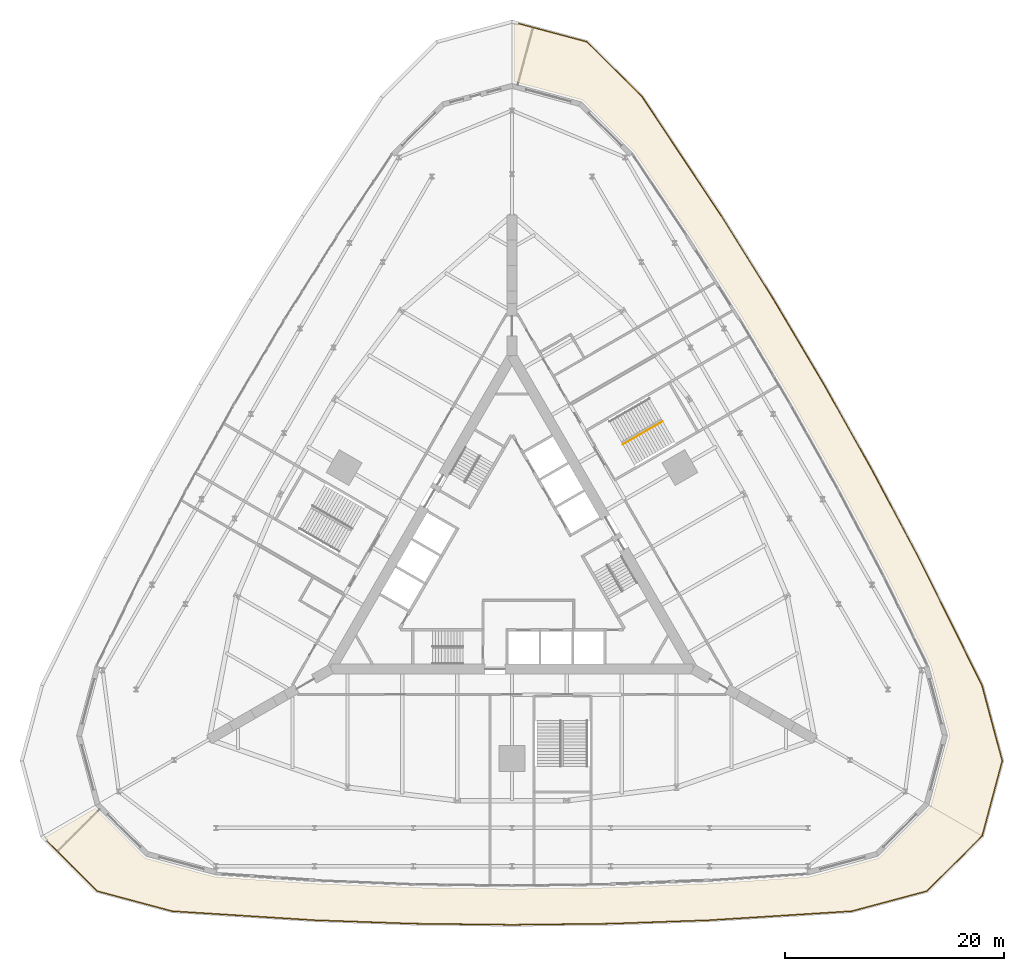
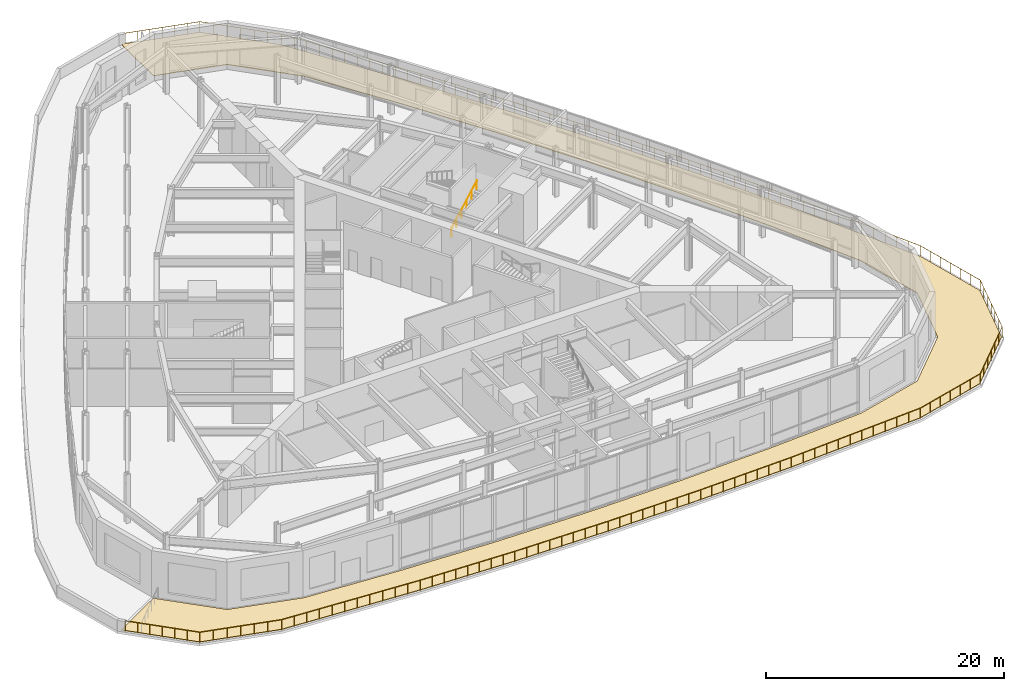
# One storey, part 19 of 20: 2 railings, 1 covering.
"""IFC4 building model written with IfcOpenShell, lengths in metres."""

from ifc_helpers import new_model, si_unit, direction, frame, origin, origin_2d, place, context, subcontext, project, spatial, polyline, circle, outline, extrude, material, layer, layer_set, type_object, element, save


model = new_model("IFC4")

# Units and contexts
model_context = context("Model", 3, precision=1e-05, world=origin(), true_north=direction((0.0, 1.0)))
body_context = subcontext(model_context, "Body", "Model", "MODEL_VIEW")
ifc_project = project(units=[si_unit("LENGTHUNIT", "METRE"), si_unit("AREAUNIT", "SQUARE_METRE"), si_unit("VOLUMEUNIT", "CUBIC_METRE"), si_unit("PLANEANGLEUNIT", "RADIAN"), si_unit("MASSUNIT", "GRAM", prefix="KILO")], contexts=[model_context])

# Site, building, storey
site_placement = place(None, origin())
site = spatial("IfcSite", under=ifc_project, at=site_placement, CompositionType="ELEMENT")
building_placement = place(site_placement, origin())
building = spatial("IfcBuilding", under=site, at=building_placement, Name="Trikona Tower", CompositionType="ELEMENT")
storey_placement = place(building_placement, frame((0.0, 0.0, 6.0)))
storey = spatial("IfcBuildingStorey", under=building, at=storey_placement, Name="L01", CompositionType="ELEMENT", Elevation=6.0)

# Railings
ifc_material_1 = material(Name="Stainless steel handrail", Category="steel")
railing_type_1 = type_object("IfcRailingType", Name="Stair handrail", PredefinedType="HANDRAIL", material=ifc_material_1)
railing_1_placement = place(storey_placement, frame((10.100341796875, 10.958251953125, 0.15625)))
element("IfcRailing", 1, at=railing_1_placement, inside=storey, type_object=railing_type_1, Name="Stair handrail PS2 L01 1", PredefinedType="HANDRAIL", context=body_context, shape_type="SweptSolid", body=[
    extrude(circle(Radius=0.02392578125, at=origin_2d()), frame((0.0, 0.0, 0.8759765625), z_axis=(0.756229227582, 0.436641416006, 0.487300348019), x_axis=(-0.500027713859, 0.866009402589, 0.0)), (0.0, 0.0, 1.0), 4.8095703125),
    extrude(circle(Radius=0.02099609375, at=origin_2d()), origin(), (0.0, 0.0, 1.0), 0.851806640625),
    extrude(circle(Radius=0.02099609375, at=origin_2d()), frame((0.7275390625, 0.419921875, 0.46875)), (0.0, 0.0, 1.0), 0.851806640625),
    extrude(circle(Radius=0.02099609375, at=origin_2d()), frame((1.454833984375, 0.840087890625, 0.9375)), (0.0, 0.0, 1.0), 0.851806640625),
    extrude(circle(Radius=0.02099609375, at=origin_2d()), frame((2.182373046875, 1.260009765625, 1.40625)), (0.0, 0.0, 1.0), 0.851806640625),
    extrude(circle(Radius=0.02099609375, at=origin_2d()), frame((2.90966796875, 1.68017578125, 1.875)), (0.0, 0.0, 1.0), 0.851806640625),
    extrude(circle(Radius=0.02099609375, at=origin_2d()), frame((3.63720703125, 2.10009765625, 2.34375)), (0.0, 0.0, 1.0), 0.851806640625),
])
ifc_material_2 = material(Name="Stainless steel guard with glass infill", Category="steel")
railing_type_2 = type_object("IfcRailingType", Name="Terrace guard 1100", PredefinedType="GUARDRAIL", material=ifc_material_2)
railing_2_placement = place(storey_placement, frame((0.57958984375, 49.341552734375, 0.0)))
element("IfcRailing", 2, at=railing_2_placement, inside=storey, type_object=railing_type_2, Name="Terrace guard L01-1", PredefinedType="GUARDRAIL", context=body_context, shape_type="SweptSolid", body=[
    extrude(circle(Radius=0.02392578125, at=origin_2d()), frame((0.0, 0.0, 1.076171875), z_axis=(0.965921529381, -0.258835080851, 0.0), x_axis=(0.258835080851, 0.965921529381, 0.0)), (0.0, 0.0, 1.0), 6.4921875),
    extrude(circle(Radius=0.02392578125, at=origin_2d()), frame((6.27099609375, -1.680419921875, 1.076171875), z_axis=(0.707106781187, -0.707106781187, 0.0), x_axis=(0.707106781187, 0.707106781187, 0.0)), (0.0, 0.0, 1.0), 7.117431640625),
    extrude(circle(Radius=0.02392578125, at=origin_2d()), frame((11.3037109375, -6.713134765625, 1.076171875), z_axis=(0.553656005616, -0.832745475788, 0.0), x_axis=(0.832745475788, 0.553656005616, 0.0)), (0.0, 0.0, 1.0), 13.0087890625),
    extrude(circle(Radius=0.02392578125, at=origin_2d()), frame((18.506103515625, -17.546142578125, 1.076171875), z_axis=(0.529847781935, -0.848092759065, 0.0), x_axis=(0.848092759065, 0.529847781935, 0.0)), (0.0, 0.0, 1.0), 9.001708984375),
    extrude(circle(Radius=0.02392578125, at=origin_2d()), frame((23.275634765625, -25.180419921875, 1.076171875), z_axis=(0.510031464151, -0.860155744953, 0.0), x_axis=(0.860155744953, 0.510031464151, 0.0)), (0.0, 0.0, 1.0), 8.997314453125),
    extrude(circle(Radius=0.02392578125, at=origin_2d()), frame((27.864501953125, -32.91943359375, 1.076171875), z_axis=(0.489901755097, -0.871777649606, 0.0), x_axis=(0.871777649606, 0.489901755097, 0.0)), (0.0, 0.0, 1.0), 8.9970703125),
    extrude(circle(Radius=0.02392578125, at=origin_2d()), frame((32.272216796875, -40.762939453125, 1.076171875), z_axis=(0.469540552861, -0.882910906728, 0.0), x_axis=(0.882910906728, 0.469540552861, 0.0)), (0.0, 0.0, 1.0), 9.00146484375),
    extrude(circle(Radius=0.02392578125, at=origin_2d()), frame((36.498779296875, -48.71044921875, 1.076171875), z_axis=(0.444351186514, -0.895852679319, 0.0), x_axis=(0.895852679319, 0.444351186514, 0.0)), (0.0, 0.0, 1.0), 13.0087890625),
    extrude(circle(Radius=0.02392578125, at=origin_2d()), frame((42.279296875, -60.364501953125, 1.076171875), z_axis=(0.258836670666, -0.965921103361, 0.0), x_axis=(0.965921103361, 0.258836670666, 0.0)), (0.0, 0.0, 1.0), 7.11767578125),
    extrude(circle(Radius=0.02392578125, at=origin_2d()), frame((44.12158203125, -67.239501953125, 1.076171875), z_axis=(-0.258830146848, -0.965922851517, 0.0), x_axis=(0.965922851517, -0.258830146848, 0.0)), (0.0, 0.0, 1.0), 7.09228515625),
    extrude(circle(Radius=0.02392578125, at=origin_2d()), frame((42.285888671875, -74.090087890625, 1.076171875), z_axis=(-0.707106781187, -0.707106781187, 0.0), x_axis=(0.707106781187, -0.707106781187, 0.0)), (0.0, 0.0, 1.0), 7.092041015625),
    extrude(circle(Radius=0.02392578125, at=origin_2d()), frame((37.27099609375, -79.10498046875, 1.076171875), z_axis=(-0.965929678743, -0.258804667121, 0.0), x_axis=(0.258804667121, -0.965929678743, 0.0)), (0.0, 0.0, 1.0), 7.117431640625),
    extrude(circle(Radius=0.02392578125, at=origin_2d()), frame((30.39599609375, -80.947021484375, 1.076171875), z_axis=(-0.998006301653, -0.063114355419, 0.0), x_axis=(0.063114355419, -0.998006301653, 0.0)), (0.0, 0.0, 1.0), 13.0087890625),
    extrude(circle(Radius=0.02392578125, at=origin_2d()), frame((17.4130859375, -81.76806640625, 1.076171875), z_axis=(-0.999394379162, -0.034797627781, 0.0), x_axis=(0.034797627781, -0.999394379162, 0.0)), (0.0, 0.0, 1.0), 9.00146484375),
    extrude(circle(Radius=0.02392578125, at=origin_2d()), frame((8.4169921875, -82.081298828125, 1.076171875), z_axis=(-0.99993255673, -0.011613870672, 0.0), x_axis=(0.011613870672, -0.99993255673, 0.0)), (0.0, 0.0, 1.0), 8.9970703125),
    extrude(circle(Radius=0.02392578125, at=origin_2d()), frame((-0.57958984375, -82.185791015625, 1.076171875), z_axis=(-0.99993255673, 0.011613870672, 0.0), x_axis=(-0.011613870672, -0.99993255673, 0.0)), (0.0, 0.0, 1.0), 8.9970703125),
    extrude(circle(Radius=0.02392578125, at=origin_2d()), frame((-9.576171875, -82.081298828125, 1.076171875), z_axis=(-0.999394379162, 0.034797627781, 0.0), x_axis=(-0.034797627781, -0.999394379162, 0.0)), (0.0, 0.0, 1.0), 9.00146484375),
    extrude(circle(Radius=0.02392578125, at=origin_2d()), frame((-18.572265625, -81.76806640625, 1.076171875), z_axis=(-0.998006301653, 0.063114355419, 0.0), x_axis=(-0.063114355419, -0.998006301653, 0.0)), (0.0, 0.0, 1.0), 13.0087890625),
    extrude(circle(Radius=0.02392578125, at=origin_2d()), frame((-31.55517578125, -80.947021484375, 1.076171875), z_axis=(-0.965929678743, 0.258804667121, 0.0), x_axis=(-0.258804667121, -0.965929678743, 0.0)), (0.0, 0.0, 1.0), 7.117431640625),
    extrude(circle(Radius=0.02392578125, at=origin_2d()), frame((-38.43017578125, -79.10498046875, 1.076171875), z_axis=(-0.707106781187, 0.707106781187, 0.0), x_axis=(-0.707106781187, -0.707106781187, 0.0)), (0.0, 0.0, 1.0), 6.492431640625),
    extrude(circle(Radius=0.02099609375, at=origin_2d()), origin(), (0.0, 0.0, 1.0), 1.052001953125),
    extrude(circle(Radius=0.02099609375, at=origin_2d()), frame((1.045166015625, -0.280029296875, 0.0)), (0.0, 0.0, 1.0), 1.052001953125),
    extrude(circle(Radius=0.02099609375, at=origin_2d()), frame((2.09033203125, -0.56005859375, 0.0)), (0.0, 0.0, 1.0), 1.052001953125),
    extrude(circle(Radius=0.02099609375, at=origin_2d()), frame((3.135498046875, -0.84033203125, 0.0)), (0.0, 0.0, 1.0), 1.052001953125),
    extrude(circle(Radius=0.02099609375, at=origin_2d()), frame((4.1806640625, -1.120361328125, 0.0)), (0.0, 0.0, 1.0), 1.052001953125),
    extrude(circle(Radius=0.02099609375, at=origin_2d()), frame((5.225830078125, -1.400390625, 0.0)), (0.0, 0.0, 1.0), 1.052001953125),
    extrude(circle(Radius=0.02099609375, at=origin_2d()), frame((6.27099609375, -1.680419921875, 0.0)), (0.0, 0.0, 1.0), 1.052001953125),
    extrude(circle(Radius=0.02099609375, at=origin_2d()), frame((7.10986328125, -2.519287109375, 0.0)), (0.0, 0.0, 1.0), 1.052001953125),
    extrude(circle(Radius=0.02099609375, at=origin_2d()), frame((7.948486328125, -3.35791015625, 0.0)), (0.0, 0.0, 1.0), 1.052001953125),
    extrude(circle(Radius=0.02099609375, at=origin_2d()), frame((8.787353515625, -4.19677734375, 0.0)), (0.0, 0.0, 1.0), 1.052001953125),
    extrude(circle(Radius=0.02099609375, at=origin_2d()), frame((9.626220703125, -5.03564453125, 0.0)), (0.0, 0.0, 1.0), 1.052001953125),
    extrude(circle(Radius=0.02099609375, at=origin_2d()), frame((10.46484375, -5.874267578125, 0.0)), (0.0, 0.0, 1.0), 1.052001953125),
    extrude(circle(Radius=0.02099609375, at=origin_2d()), frame((11.3037109375, -6.713134765625, 0.0)), (0.0, 0.0, 1.0), 1.052001953125),
    extrude(circle(Radius=0.02099609375, at=origin_2d()), frame((11.95849609375, -7.697998046875, 0.0)), (0.0, 0.0, 1.0), 1.052001953125),
    extrude(circle(Radius=0.02099609375, at=origin_2d()), frame((12.61328125, -8.682861328125, 0.0)), (0.0, 0.0, 1.0), 1.052001953125),
    extrude(circle(Radius=0.02099609375, at=origin_2d()), frame((13.26806640625, -9.66748046875, 0.0)), (0.0, 0.0, 1.0), 1.052001953125),
    extrude(circle(Radius=0.02099609375, at=origin_2d()), frame((13.9228515625, -10.65234375, 0.0)), (0.0, 0.0, 1.0), 1.052001953125),
    extrude(circle(Radius=0.02099609375, at=origin_2d()), frame((14.57763671875, -11.63720703125, 0.0)), (0.0, 0.0, 1.0), 1.052001953125),
    extrude(circle(Radius=0.02099609375, at=origin_2d()), frame((15.232177734375, -12.6220703125, 0.0)), (0.0, 0.0, 1.0), 1.052001953125),
    extrude(circle(Radius=0.02099609375, at=origin_2d()), frame((15.886962890625, -13.60693359375, 0.0)), (0.0, 0.0, 1.0), 1.052001953125),
    extrude(circle(Radius=0.02099609375, at=origin_2d()), frame((16.541748046875, -14.591796875, 0.0)), (0.0, 0.0, 1.0), 1.052001953125),
    extrude(circle(Radius=0.02099609375, at=origin_2d()), frame((17.196533203125, -15.576416015625, 0.0)), (0.0, 0.0, 1.0), 1.052001953125),
    extrude(circle(Radius=0.02099609375, at=origin_2d()), frame((17.851318359375, -16.561279296875, 0.0)), (0.0, 0.0, 1.0), 1.052001953125),
    extrude(circle(Radius=0.02099609375, at=origin_2d()), frame((18.506103515625, -17.546142578125, 0.0)), (0.0, 0.0, 1.0), 1.052001953125),
    extrude(circle(Radius=0.02099609375, at=origin_2d()), frame((19.102294921875, -18.50048828125, 0.0)), (0.0, 0.0, 1.0), 1.052001953125),
    extrude(circle(Radius=0.02099609375, at=origin_2d()), frame((19.698486328125, -19.45458984375, 0.0)), (0.0, 0.0, 1.0), 1.052001953125),
    extrude(circle(Radius=0.02099609375, at=origin_2d()), frame((20.294677734375, -20.408935546875, 0.0)), (0.0, 0.0, 1.0), 1.052001953125),
    extrude(circle(Radius=0.02099609375, at=origin_2d()), frame((20.890869140625, -21.36328125, 0.0)), (0.0, 0.0, 1.0), 1.052001953125),
    extrude(circle(Radius=0.02099609375, at=origin_2d()), frame((21.487060546875, -22.317626953125, 0.0)), (0.0, 0.0, 1.0), 1.052001953125),
    extrude(circle(Radius=0.02099609375, at=origin_2d()), frame((22.083251953125, -23.27197265625, 0.0)), (0.0, 0.0, 1.0), 1.052001953125),
    extrude(circle(Radius=0.02099609375, at=origin_2d()), frame((22.679443359375, -24.22607421875, 0.0)), (0.0, 0.0, 1.0), 1.052001953125),
    extrude(circle(Radius=0.02099609375, at=origin_2d()), frame((23.275634765625, -25.180419921875, 0.0)), (0.0, 0.0, 1.0), 1.052001953125),
    extrude(circle(Radius=0.02099609375, at=origin_2d()), frame((23.84912109375, -26.147705078125, 0.0)), (0.0, 0.0, 1.0), 1.052001953125),
    extrude(circle(Radius=0.02099609375, at=origin_2d()), frame((24.4228515625, -27.115234375, 0.0)), (0.0, 0.0, 1.0), 1.052001953125),
    extrude(circle(Radius=0.02099609375, at=origin_2d()), frame((24.99658203125, -28.08251953125, 0.0)), (0.0, 0.0, 1.0), 1.052001953125),
    extrude(circle(Radius=0.02099609375, at=origin_2d()), frame((25.570068359375, -29.0498046875, 0.0)), (0.0, 0.0, 1.0), 1.052001953125),
    extrude(circle(Radius=0.02099609375, at=origin_2d()), frame((26.1435546875, -30.017333984375, 0.0)), (0.0, 0.0, 1.0), 1.052001953125),
    extrude(circle(Radius=0.02099609375, at=origin_2d()), frame((26.71728515625, -30.984619140625, 0.0)), (0.0, 0.0, 1.0), 1.052001953125),
    extrude(circle(Radius=0.02099609375, at=origin_2d()), frame((27.291015625, -31.9521484375, 0.0)), (0.0, 0.0, 1.0), 1.052001953125),
    extrude(circle(Radius=0.02099609375, at=origin_2d()), frame((27.864501953125, -32.91943359375, 0.0)), (0.0, 0.0, 1.0), 1.052001953125),
    extrude(circle(Radius=0.02099609375, at=origin_2d()), frame((28.41552734375, -33.89990234375, 0.0)), (0.0, 0.0, 1.0), 1.052001953125),
    extrude(circle(Radius=0.02099609375, at=origin_2d()), frame((28.96630859375, -34.88037109375, 0.0)), (0.0, 0.0, 1.0), 1.052001953125),
    extrude(circle(Radius=0.02099609375, at=origin_2d()), frame((29.517333984375, -35.86083984375, 0.0)), (0.0, 0.0, 1.0), 1.052001953125),
    extrude(circle(Radius=0.02099609375, at=origin_2d()), frame((30.068359375, -36.84130859375, 0.0)), (0.0, 0.0, 1.0), 1.052001953125),
    extrude(circle(Radius=0.02099609375, at=origin_2d()), frame((30.619384765625, -37.821533203125, 0.0)), (0.0, 0.0, 1.0), 1.052001953125),
    extrude(circle(Radius=0.02099609375, at=origin_2d()), frame((31.17041015625, -38.802001953125, 0.0)), (0.0, 0.0, 1.0), 1.052001953125),
    extrude(circle(Radius=0.02099609375, at=origin_2d()), frame((31.72119140625, -39.782470703125, 0.0)), (0.0, 0.0, 1.0), 1.052001953125),
    extrude(circle(Radius=0.02099609375, at=origin_2d()), frame((32.272216796875, -40.762939453125, 0.0)), (0.0, 0.0, 1.0), 1.052001953125),
    extrude(circle(Radius=0.02099609375, at=origin_2d()), frame((32.800537109375, -41.75634765625, 0.0)), (0.0, 0.0, 1.0), 1.052001953125),
    extrude(circle(Radius=0.02099609375, at=origin_2d()), frame((33.328857421875, -42.749755859375, 0.0)), (0.0, 0.0, 1.0), 1.052001953125),
    extrude(circle(Radius=0.02099609375, at=origin_2d()), frame((33.857177734375, -43.7431640625, 0.0)), (0.0, 0.0, 1.0), 1.052001953125),
    extrude(circle(Radius=0.02099609375, at=origin_2d()), frame((34.385498046875, -44.73681640625, 0.0)), (0.0, 0.0, 1.0), 1.052001953125),
    extrude(circle(Radius=0.02099609375, at=origin_2d()), frame((34.913818359375, -45.730224609375, 0.0)), (0.0, 0.0, 1.0), 1.052001953125),
    extrude(circle(Radius=0.02099609375, at=origin_2d()), frame((35.442138671875, -46.7236328125, 0.0)), (0.0, 0.0, 1.0), 1.052001953125),
    extrude(circle(Radius=0.02099609375, at=origin_2d()), frame((35.970458984375, -47.717041015625, 0.0)), (0.0, 0.0, 1.0), 1.052001953125),
    extrude(circle(Radius=0.02099609375, at=origin_2d()), frame((36.498779296875, -48.71044921875, 0.0)), (0.0, 0.0, 1.0), 1.052001953125),
    extrude(circle(Radius=0.02099609375, at=origin_2d()), frame((37.024169921875, -49.77001953125, 0.0)), (0.0, 0.0, 1.0), 1.052001953125),
    extrude(circle(Radius=0.02099609375, at=origin_2d()), frame((37.5498046875, -50.829345703125, 0.0)), (0.0, 0.0, 1.0), 1.052001953125),
    extrude(circle(Radius=0.02099609375, at=origin_2d()), frame((38.0751953125, -51.888916015625, 0.0)), (0.0, 0.0, 1.0), 1.052001953125),
    extrude(circle(Radius=0.02099609375, at=origin_2d()), frame((38.600830078125, -52.9482421875, 0.0)), (0.0, 0.0, 1.0), 1.052001953125),
    extrude(circle(Radius=0.02099609375, at=origin_2d()), frame((39.126220703125, -54.0078125, 0.0)), (0.0, 0.0, 1.0), 1.052001953125),
    extrude(circle(Radius=0.02099609375, at=origin_2d()), frame((39.65185546875, -55.067138671875, 0.0)), (0.0, 0.0, 1.0), 1.052001953125),
    extrude(circle(Radius=0.02099609375, at=origin_2d()), frame((40.17724609375, -56.126708984375, 0.0)), (0.0, 0.0, 1.0), 1.052001953125),
    extrude(circle(Radius=0.02099609375, at=origin_2d()), frame((40.702880859375, -57.18603515625, 0.0)), (0.0, 0.0, 1.0), 1.052001953125),
    extrude(circle(Radius=0.02099609375, at=origin_2d()), frame((41.228271484375, -58.24560546875, 0.0)), (0.0, 0.0, 1.0), 1.052001953125),
    extrude(circle(Radius=0.02099609375, at=origin_2d()), frame((41.75390625, -59.304931640625, 0.0)), (0.0, 0.0, 1.0), 1.052001953125),
    extrude(circle(Radius=0.02099609375, at=origin_2d()), frame((42.279296875, -60.364501953125, 0.0)), (0.0, 0.0, 1.0), 1.052001953125),
    extrude(circle(Radius=0.02099609375, at=origin_2d()), frame((42.58642578125, -61.51025390625, 0.0)), (0.0, 0.0, 1.0), 1.052001953125),
    extrude(circle(Radius=0.02099609375, at=origin_2d()), frame((42.893310546875, -62.65625, 0.0)), (0.0, 0.0, 1.0), 1.052001953125),
    extrude(circle(Radius=0.02099609375, at=origin_2d()), frame((43.200439453125, -63.802001953125, 0.0)), (0.0, 0.0, 1.0), 1.052001953125),
    extrude(circle(Radius=0.02099609375, at=origin_2d()), frame((43.507568359375, -64.94775390625, 0.0)), (0.0, 0.0, 1.0), 1.052001953125),
    extrude(circle(Radius=0.02099609375, at=origin_2d()), frame((43.814453125, -66.09375, 0.0)), (0.0, 0.0, 1.0), 1.052001953125),
    extrude(circle(Radius=0.02099609375, at=origin_2d()), frame((44.12158203125, -67.239501953125, 0.0)), (0.0, 0.0, 1.0), 1.052001953125),
    extrude(circle(Radius=0.02099609375, at=origin_2d()), frame((43.815673828125, -68.38134765625, 0.0)), (0.0, 0.0, 1.0), 1.052001953125),
    extrude(circle(Radius=0.02099609375, at=origin_2d()), frame((43.509765625, -69.52294921875, 0.0)), (0.0, 0.0, 1.0), 1.052001953125),
    extrude(circle(Radius=0.02099609375, at=origin_2d()), frame((43.20361328125, -70.664794921875, 0.0)), (0.0, 0.0, 1.0), 1.052001953125),
    extrude(circle(Radius=0.02099609375, at=origin_2d()), frame((42.897705078125, -71.806640625, 0.0)), (0.0, 0.0, 1.0), 1.052001953125),
    extrude(circle(Radius=0.02099609375, at=origin_2d()), frame((42.591796875, -72.9482421875, 0.0)), (0.0, 0.0, 1.0), 1.052001953125),
    extrude(circle(Radius=0.02099609375, at=origin_2d()), frame((42.285888671875, -74.090087890625, 0.0)), (0.0, 0.0, 1.0), 1.052001953125),
    extrude(circle(Radius=0.02099609375, at=origin_2d()), frame((41.4501953125, -74.92578125, 0.0)), (0.0, 0.0, 1.0), 1.052001953125),
    extrude(circle(Radius=0.02099609375, at=origin_2d()), frame((40.6142578125, -75.76171875, 0.0)), (0.0, 0.0, 1.0), 1.052001953125),
    extrude(circle(Radius=0.02099609375, at=origin_2d()), frame((39.7783203125, -76.59765625, 0.0)), (0.0, 0.0, 1.0), 1.052001953125),
    extrude(circle(Radius=0.02099609375, at=origin_2d()), frame((38.942626953125, -77.433349609375, 0.0)), (0.0, 0.0, 1.0), 1.052001953125),
    extrude(circle(Radius=0.02099609375, at=origin_2d()), frame((38.10693359375, -78.26904296875, 0.0)), (0.0, 0.0, 1.0), 1.052001953125),
    extrude(circle(Radius=0.02099609375, at=origin_2d()), frame((37.27099609375, -79.10498046875, 0.0)), (0.0, 0.0, 1.0), 1.052001953125),
    extrude(circle(Radius=0.02099609375, at=origin_2d()), frame((36.125244140625, -79.412109375, 0.0)), (0.0, 0.0, 1.0), 1.052001953125),
    extrude(circle(Radius=0.02099609375, at=origin_2d()), frame((34.979248046875, -79.718994140625, 0.0)), (0.0, 0.0, 1.0), 1.052001953125),
    extrude(circle(Radius=0.02099609375, at=origin_2d()), frame((33.83349609375, -80.02587890625, 0.0)), (0.0, 0.0, 1.0), 1.052001953125),
    extrude(circle(Radius=0.02099609375, at=origin_2d()), frame((32.687744140625, -80.3330078125, 0.0)), (0.0, 0.0, 1.0), 1.052001953125),
    extrude(circle(Radius=0.02099609375, at=origin_2d()), frame((31.541748046875, -80.64013671875, 0.0)), (0.0, 0.0, 1.0), 1.052001953125),
    extrude(circle(Radius=0.02099609375, at=origin_2d()), frame((30.39599609375, -80.947021484375, 0.0)), (0.0, 0.0, 1.0), 1.052001953125),
    extrude(circle(Radius=0.02099609375, at=origin_2d()), frame((29.2158203125, -81.021728515625, 0.0)), (0.0, 0.0, 1.0), 1.052001953125),
    extrude(circle(Radius=0.02099609375, at=origin_2d()), frame((28.035400390625, -81.09619140625, 0.0)), (0.0, 0.0, 1.0), 1.052001953125),
    extrude(circle(Radius=0.02099609375, at=origin_2d()), frame((26.855224609375, -81.1708984375, 0.0)), (0.0, 0.0, 1.0), 1.052001953125),
    extrude(circle(Radius=0.02099609375, at=origin_2d()), frame((25.675048828125, -81.24560546875, 0.0)), (0.0, 0.0, 1.0), 1.052001953125),
    extrude(circle(Radius=0.02099609375, at=origin_2d()), frame((24.49462890625, -81.3203125, 0.0)), (0.0, 0.0, 1.0), 1.052001953125),
    extrude(circle(Radius=0.02099609375, at=origin_2d()), frame((23.314453125, -81.394775390625, 0.0)), (0.0, 0.0, 1.0), 1.052001953125),
    extrude(circle(Radius=0.02099609375, at=origin_2d()), frame((22.134033203125, -81.469482421875, 0.0)), (0.0, 0.0, 1.0), 1.052001953125),
    extrude(circle(Radius=0.02099609375, at=origin_2d()), frame((20.953857421875, -81.544189453125, 0.0)), (0.0, 0.0, 1.0), 1.052001953125),
    extrude(circle(Radius=0.02099609375, at=origin_2d()), frame((19.773681640625, -81.618896484375, 0.0)), (0.0, 0.0, 1.0), 1.052001953125),
    extrude(circle(Radius=0.02099609375, at=origin_2d()), frame((18.59326171875, -81.693359375, 0.0)), (0.0, 0.0, 1.0), 1.052001953125),
    extrude(circle(Radius=0.02099609375, at=origin_2d()), frame((17.4130859375, -81.76806640625, 0.0)), (0.0, 0.0, 1.0), 1.052001953125),
    extrude(circle(Radius=0.02099609375, at=origin_2d()), frame((16.28857421875, -81.80712890625, 0.0)), (0.0, 0.0, 1.0), 1.052001953125),
    extrude(circle(Radius=0.02099609375, at=origin_2d()), frame((15.1640625, -81.846435546875, 0.0)), (0.0, 0.0, 1.0), 1.052001953125),
    extrude(circle(Radius=0.02099609375, at=origin_2d()), frame((14.03955078125, -81.885498046875, 0.0)), (0.0, 0.0, 1.0), 1.052001953125),
    extrude(circle(Radius=0.02099609375, at=origin_2d()), frame((12.9150390625, -81.9248046875, 0.0)), (0.0, 0.0, 1.0), 1.052001953125),
    extrude(circle(Radius=0.02099609375, at=origin_2d()), frame((11.79052734375, -81.9638671875, 0.0)), (0.0, 0.0, 1.0), 1.052001953125),
    extrude(circle(Radius=0.02099609375, at=origin_2d()), frame((10.666015625, -82.0029296875, 0.0)), (0.0, 0.0, 1.0), 1.052001953125),
    extrude(circle(Radius=0.02099609375, at=origin_2d()), frame((9.54150390625, -82.042236328125, 0.0)), (0.0, 0.0, 1.0), 1.052001953125),
    extrude(circle(Radius=0.02099609375, at=origin_2d()), frame((8.4169921875, -82.081298828125, 0.0)), (0.0, 0.0, 1.0), 1.052001953125),
    extrude(circle(Radius=0.02099609375, at=origin_2d()), frame((7.29248046875, -82.09423828125, 0.0)), (0.0, 0.0, 1.0), 1.052001953125),
    extrude(circle(Radius=0.02099609375, at=origin_2d()), frame((6.16796875, -82.107421875, 0.0)), (0.0, 0.0, 1.0), 1.052001953125),
    extrude(circle(Radius=0.02099609375, at=origin_2d()), frame((5.043212890625, -82.12060546875, 0.0)), (0.0, 0.0, 1.0), 1.052001953125),
    extrude(circle(Radius=0.02099609375, at=origin_2d()), frame((3.918701171875, -82.133544921875, 0.0)), (0.0, 0.0, 1.0), 1.052001953125),
    extrude(circle(Radius=0.02099609375, at=origin_2d()), frame((2.794189453125, -82.146484375, 0.0)), (0.0, 0.0, 1.0), 1.052001953125),
    extrude(circle(Radius=0.02099609375, at=origin_2d()), frame((1.66943359375, -82.15966796875, 0.0)), (0.0, 0.0, 1.0), 1.052001953125),
    extrude(circle(Radius=0.02099609375, at=origin_2d()), frame((0.544921875, -82.1728515625, 0.0)), (0.0, 0.0, 1.0), 1.052001953125),
    extrude(circle(Radius=0.02099609375, at=origin_2d()), frame((-0.57958984375, -82.185791015625, 0.0)), (0.0, 0.0, 1.0), 1.052001953125),
    extrude(circle(Radius=0.02099609375, at=origin_2d()), frame((-1.7041015625, -82.1728515625, 0.0)), (0.0, 0.0, 1.0), 1.052001953125),
    extrude(circle(Radius=0.02099609375, at=origin_2d()), frame((-2.82861328125, -82.15966796875, 0.0)), (0.0, 0.0, 1.0), 1.052001953125),
    extrude(circle(Radius=0.02099609375, at=origin_2d()), frame((-3.953369140625, -82.146484375, 0.0)), (0.0, 0.0, 1.0), 1.052001953125),
    extrude(circle(Radius=0.02099609375, at=origin_2d()), frame((-5.077880859375, -82.133544921875, 0.0)), (0.0, 0.0, 1.0), 1.052001953125),
    extrude(circle(Radius=0.02099609375, at=origin_2d()), frame((-6.202392578125, -82.12060546875, 0.0)), (0.0, 0.0, 1.0), 1.052001953125),
    extrude(circle(Radius=0.02099609375, at=origin_2d()), frame((-7.3271484375, -82.107421875, 0.0)), (0.0, 0.0, 1.0), 1.052001953125),
    extrude(circle(Radius=0.02099609375, at=origin_2d()), frame((-8.45166015625, -82.09423828125, 0.0)), (0.0, 0.0, 1.0), 1.052001953125),
    extrude(circle(Radius=0.02099609375, at=origin_2d()), frame((-9.576171875, -82.081298828125, 0.0)), (0.0, 0.0, 1.0), 1.052001953125),
    extrude(circle(Radius=0.02099609375, at=origin_2d()), frame((-10.70068359375, -82.042236328125, 0.0)), (0.0, 0.0, 1.0), 1.052001953125),
    extrude(circle(Radius=0.02099609375, at=origin_2d()), frame((-11.8251953125, -82.0029296875, 0.0)), (0.0, 0.0, 1.0), 1.052001953125),
    extrude(circle(Radius=0.02099609375, at=origin_2d()), frame((-12.94970703125, -81.9638671875, 0.0)), (0.0, 0.0, 1.0), 1.052001953125),
    extrude(circle(Radius=0.02099609375, at=origin_2d()), frame((-14.07421875, -81.9248046875, 0.0)), (0.0, 0.0, 1.0), 1.052001953125),
    extrude(circle(Radius=0.02099609375, at=origin_2d()), frame((-15.19873046875, -81.885498046875, 0.0)), (0.0, 0.0, 1.0), 1.052001953125),
    extrude(circle(Radius=0.02099609375, at=origin_2d()), frame((-16.3232421875, -81.846435546875, 0.0)), (0.0, 0.0, 1.0), 1.052001953125),
    extrude(circle(Radius=0.02099609375, at=origin_2d()), frame((-17.44775390625, -81.80712890625, 0.0)), (0.0, 0.0, 1.0), 1.052001953125),
    extrude(circle(Radius=0.02099609375, at=origin_2d()), frame((-18.572265625, -81.76806640625, 0.0)), (0.0, 0.0, 1.0), 1.052001953125),
    extrude(circle(Radius=0.02099609375, at=origin_2d()), frame((-19.75244140625, -81.693359375, 0.0)), (0.0, 0.0, 1.0), 1.052001953125),
    extrude(circle(Radius=0.02099609375, at=origin_2d()), frame((-20.932861328125, -81.618896484375, 0.0)), (0.0, 0.0, 1.0), 1.052001953125),
    extrude(circle(Radius=0.02099609375, at=origin_2d()), frame((-22.113037109375, -81.544189453125, 0.0)), (0.0, 0.0, 1.0), 1.052001953125),
    extrude(circle(Radius=0.02099609375, at=origin_2d()), frame((-23.293212890625, -81.469482421875, 0.0)), (0.0, 0.0, 1.0), 1.052001953125),
    extrude(circle(Radius=0.02099609375, at=origin_2d()), frame((-24.4736328125, -81.394775390625, 0.0)), (0.0, 0.0, 1.0), 1.052001953125),
    extrude(circle(Radius=0.02099609375, at=origin_2d()), frame((-25.65380859375, -81.3203125, 0.0)), (0.0, 0.0, 1.0), 1.052001953125),
    extrude(circle(Radius=0.02099609375, at=origin_2d()), frame((-26.834228515625, -81.24560546875, 0.0)), (0.0, 0.0, 1.0), 1.052001953125),
    extrude(circle(Radius=0.02099609375, at=origin_2d()), frame((-28.014404296875, -81.1708984375, 0.0)), (0.0, 0.0, 1.0), 1.052001953125),
    extrude(circle(Radius=0.02099609375, at=origin_2d()), frame((-29.194580078125, -81.09619140625, 0.0)), (0.0, 0.0, 1.0), 1.052001953125),
    extrude(circle(Radius=0.02099609375, at=origin_2d()), frame((-30.375, -81.021728515625, 0.0)), (0.0, 0.0, 1.0), 1.052001953125),
    extrude(circle(Radius=0.02099609375, at=origin_2d()), frame((-31.55517578125, -80.947021484375, 0.0)), (0.0, 0.0, 1.0), 1.052001953125),
    extrude(circle(Radius=0.02099609375, at=origin_2d()), frame((-32.700927734375, -80.64013671875, 0.0)), (0.0, 0.0, 1.0), 1.052001953125),
    extrude(circle(Radius=0.02099609375, at=origin_2d()), frame((-33.846923828125, -80.3330078125, 0.0)), (0.0, 0.0, 1.0), 1.052001953125),
    extrude(circle(Radius=0.02099609375, at=origin_2d()), frame((-34.99267578125, -80.02587890625, 0.0)), (0.0, 0.0, 1.0), 1.052001953125),
    extrude(circle(Radius=0.02099609375, at=origin_2d()), frame((-36.138427734375, -79.718994140625, 0.0)), (0.0, 0.0, 1.0), 1.052001953125),
    extrude(circle(Radius=0.02099609375, at=origin_2d()), frame((-37.284423828125, -79.412109375, 0.0)), (0.0, 0.0, 1.0), 1.052001953125),
    extrude(circle(Radius=0.02099609375, at=origin_2d()), frame((-38.43017578125, -79.10498046875, 0.0)), (0.0, 0.0, 1.0), 1.052001953125),
    extrude(circle(Radius=0.02099609375, at=origin_2d()), frame((-39.1953125, -78.33984375, 0.0)), (0.0, 0.0, 1.0), 1.052001953125),
    extrude(circle(Radius=0.02099609375, at=origin_2d()), frame((-39.96044921875, -77.57470703125, 0.0)), (0.0, 0.0, 1.0), 1.052001953125),
    extrude(circle(Radius=0.02099609375, at=origin_2d()), frame((-40.7255859375, -76.8095703125, 0.0)), (0.0, 0.0, 1.0), 1.052001953125),
    extrude(circle(Radius=0.02099609375, at=origin_2d()), frame((-41.49072265625, -76.04443359375, 0.0)), (0.0, 0.0, 1.0), 1.052001953125),
    extrude(circle(Radius=0.02099609375, at=origin_2d()), frame((-42.255859375, -75.279296875, 0.0)), (0.0, 0.0, 1.0), 1.052001953125),
    extrude(circle(Radius=0.02099609375, at=origin_2d()), frame((-43.02099609375, -74.51416015625, 0.0)), (0.0, 0.0, 1.0), 1.052001953125),
])

# Covering
ifc_material_3 = material(Name="Clay brick pavers on pedestals", Category="masonry")
ifc_layer = layer(ifc_material_3, 0.050048828125)
ifc_layer_set = layer_set([ifc_layer], Name="Terrace paving 50")
covering_type = type_object("IfcCoveringType", Name="Terrace paving 50", PredefinedType="FLOORING", material=ifc_layer_set)
covering_placement = place(storey_placement, origin())
element("IfcCovering", 3, at=covering_placement, inside=storey, type_object=covering_type, Name="Terrace paving L01", PredefinedType="FLOORING", context=body_context, shape_type="SweptSolid", body=[
    extrude(outline(polyline([(-42.6376953125, -24.905517578125), (-37.82470703125, -29.718505859375), (-30.967529296875, -31.555908203125), (-17.990234375, -32.37646484375), (-8.995361328125, -32.689697265625), (0.0, -32.794189453125), (8.995361328125, -32.689697265625), (17.990234375, -32.37646484375), (30.967529296875, -31.555908203125), (37.82470703125, -29.718505859375), (42.82080078125, -24.72265625), (44.6494140625, -17.89794921875), (42.81201171875, -11.040771484375), (37.033935546875, 0.608154296875), (32.807861328125, 8.5546875), (28.400634765625, 16.397216796875), (23.8125, 24.135009765625), (19.043701171875, 31.768310546875), (11.844482421875, 42.5966796875), (6.82470703125, 47.616455078125), (0.25, 49.378173828125), (0.25, 44.019775390625), (6.407958984375, 42.36962890625), (6.4423828125, 42.356201171875), (6.46044921875, 42.345703125), (6.4892578125, 42.32275390625), (11.155517578125, 37.655517578125), (16.188720703125, 30.14208984375), (21.001953125, 22.525634765625), (25.610107421875, 14.784423828125), (30.0087890625, 6.925537109375), (34.1982421875, -1.051025390625), (38.1884765625, -9.166748046875), (39.897216796875, -15.54150390625), (39.902587890625, -15.577880859375), (39.902587890625, -15.59912109375), (39.897216796875, -15.635498046875), (38.19287109375, -21.996337890625), (38.17919921875, -22.03076171875), (38.168701171875, -22.048828125), (38.145751953125, -22.07763671875), (33.4892578125, -26.734375), (33.46044921875, -26.75732421875), (33.4423828125, -26.767822265625), (33.407958984375, -26.78125), (27.04736328125, -28.485595703125), (27.018310546875, -28.490478515625), (18.011962890625, -29.0908203125), (9.006591796875, -29.451171875), (-0.001220703125, -29.5712890625), (-9.006591796875, -29.451171875), (-18.011962890625, -29.0908203125), (-27.032958984375, -28.48876953125), (-33.407958984375, -26.78125), (-33.4423828125, -26.767822265625), (-33.46044921875, -26.75732421875), (-33.4892578125, -26.734375), (-37.997314453125, -22.226318359375), (-42.6376953125, -24.905517578125)])), origin(), (0.0, 0.0, 1.0), 0.050048828125),
])

save(model, "model.ifc")
